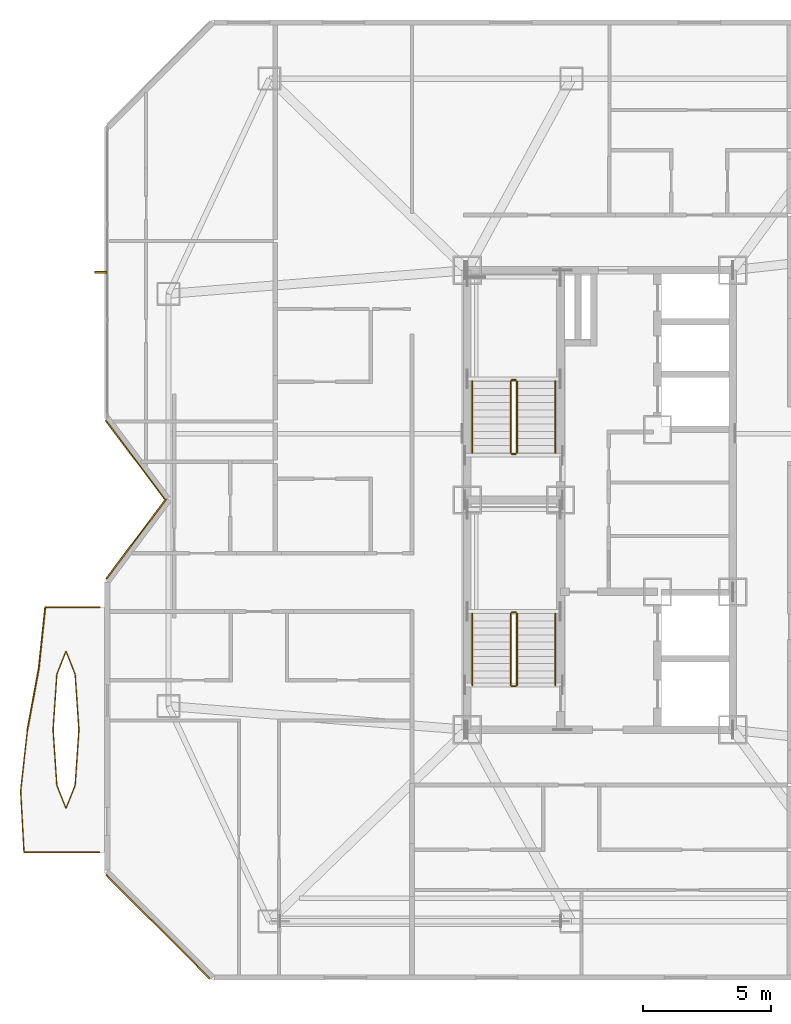
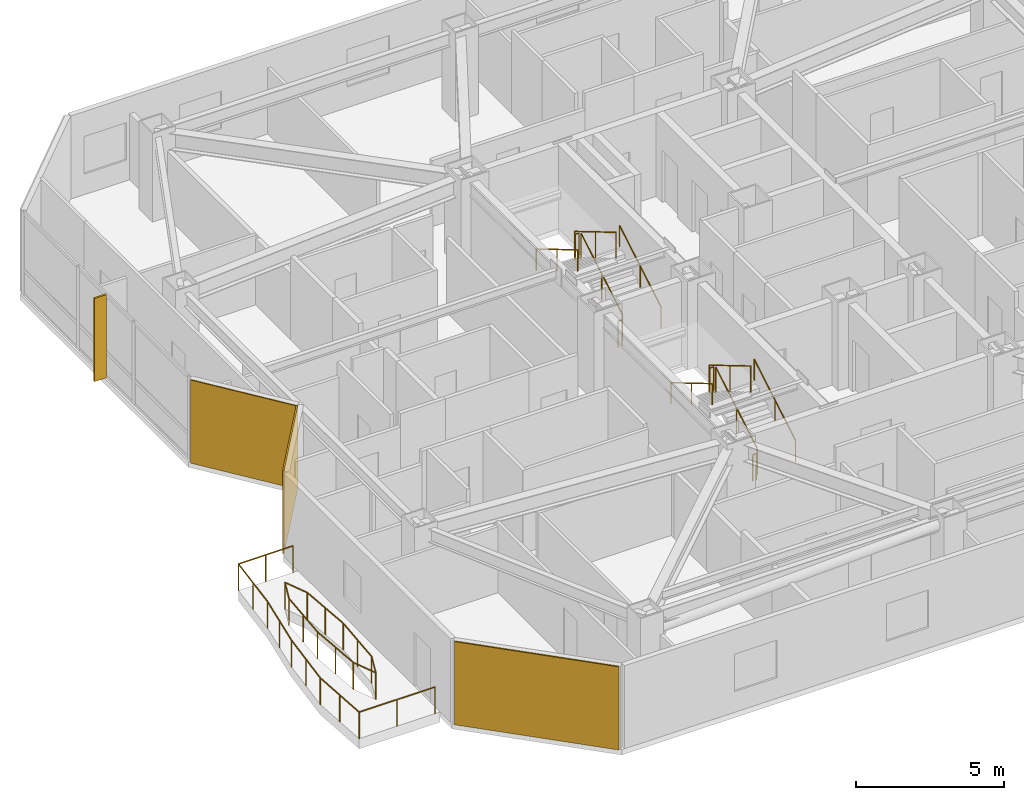
# One storey, part 17 of 18: 16 railings, 3 coverings, 1 shading device.
"""IFC4 building model written with IfcOpenShell, lengths in metres."""

import ifcopenshell
import ifcopenshell.guid

model = None  # the IFC model being written
_history = None  # IfcOwnerHistory: only IFC2X3 demands one
_inside = {}  # id of a spatial element -> (the spatial element, [elements in it])
_under = {}  # id of a project, library or spatial element -> (it, [spatial elements below it])
_declared = {}  # id of a project -> (the project, [libraries it declares])
_typed = {}  # id of a type object -> (the type object, [elements of that type])
_made_of = {}  # id of a material, layer set ... -> (it, [elements and type objects made of it])


def new_model(schema):
    """Start an empty IFC model of exactly this schema.

    Asked for "IFC4X3", IfcOpenShell would pick the latest addendum, in which some entities
    have other attributes; the version numbers below select the first issue.
    IFC2X3 requires an IfcOwnerHistory on every rooted entity: one is made here for all.
    """
    global model, _history
    if schema == "IFC4X3":
        model = ifcopenshell.file(schema_version=(4, 3, 0, 0))
    else:
        model = ifcopenshell.file(schema=schema)
    _inside.clear()
    _under.clear()
    _declared.clear()
    _typed.clear()
    _made_of.clear()
    _history = None
    if model.schema == "IFC2X3":
        org = make("IfcOrganization", Name="unknown")
        user = make(
            "IfcPersonAndOrganization",
            ThePerson=make("IfcPerson", FamilyName="unknown"),
            TheOrganization=org,
        )
        app = make(
            "IfcApplication",
            ApplicationDeveloper=org,
            Version="unknown",
            ApplicationFullName="unknown",
            ApplicationIdentifier="unknown",
        )
        _history = make(
            "IfcOwnerHistory",
            OwningUser=user,
            OwningApplication=app,
            ChangeAction="ADDED",
            CreationDate=0,
        )
    return model


def make(cls, **values):
    """One entity of the class cls with the attributes given. An attribute that is None is left unset."""
    return model.create_entity(
        cls, **{name: value for name, value in values.items() if value is not None}
    )


def rooted(cls, **values):
    """An entity with a GlobalId (a new one), such as an element, a storey or a relation."""
    return make(cls, GlobalId=ifcopenshell.guid.new(), OwnerHistory=_history, **values)


def si_unit(unit_type, name, prefix=None):
    """IfcSIUnit, for example si_unit("LENGTHUNIT", "METRE", prefix="MILLI")."""
    return make("IfcSIUnit", UnitType=unit_type, Prefix=prefix, Name=name)


def assignment(units):
    """IfcUnitAssignment: the units of a project."""
    return None if units is None else make("IfcUnitAssignment", Units=units)


def point(xyz):
    """IfcCartesianPoint."""
    return None if xyz is None else make("IfcCartesianPoint", Coordinates=xyz)


def direction(xyz):
    """IfcDirection."""
    return None if xyz is None else make("IfcDirection", DirectionRatios=xyz)


def frame(location, z_axis=None, x_axis=None):
    """IfcAxis2Placement3D, a coordinate frame: its origin and axes. An axis left out is left unset."""
    return make(
        "IfcAxis2Placement3D",
        Location=point(location),
        Axis=direction(z_axis),
        RefDirection=direction(x_axis),
    )


def frame_2d(location, x_axis=None):
    """IfcAxis2Placement2D, a coordinate frame in the plane: its origin and x axis."""
    return make(
        "IfcAxis2Placement2D", Location=point(location), RefDirection=direction(x_axis)
    )


def origin():
    """The frame at (0, 0, 0) with its axes left unset."""
    return frame((0.0, 0.0, 0.0))


def origin_2d():
    """The frame at (0, 0) in the plane with its x axis left unset."""
    return frame_2d((0.0, 0.0))


def place(relative_to, where):
    """IfcLocalPlacement: puts the frame where relative to a parent placement (None: the world)."""
    return make(
        "IfcLocalPlacement", PlacementRelTo=relative_to, RelativePlacement=where
    )


def context(
    kind, dimensions, precision=None, world=None, true_north=None, identifier=None
):
    """IfcGeometricRepresentationContext, for example the 3D "Model" context."""
    return make(
        "IfcGeometricRepresentationContext",
        ContextIdentifier=identifier,
        ContextType=kind,
        CoordinateSpaceDimension=dimensions,
        Precision=precision,
        WorldCoordinateSystem=world,
        TrueNorth=true_north,
    )


def subcontext(parent, identifier, kind, view, scale=None):
    """IfcGeometricRepresentationSubContext, for example "Body" below "Model"."""
    return make(
        "IfcGeometricRepresentationSubContext",
        ContextIdentifier=identifier,
        ContextType=kind,
        ParentContext=parent,
        TargetScale=scale,
        TargetView=view,
    )


def project(units=None, contexts=None):
    """IfcProject with its units and contexts."""
    return rooted(
        "IfcProject",
        Name="project",
        RepresentationContexts=contexts,
        UnitsInContext=assignment(units),
    )


def spatial(cls, under=None, at=None, **own):
    """A site, building, storey or space (cls), placed at a placement, below another one or the project."""
    s = rooted(cls, ObjectPlacement=at, **own)
    if under is not None:
        _under.setdefault(under.id(), (under, []))[1].append(s)
    return s


def profile(cls, at=None, kind="AREA", **sizes):
    """A parametric profile (cls). Its sizes go by their IFC names, for example OverallWidth=200.0."""
    return make(cls, ProfileType=kind, Position=at, **sizes)


def rectangle(**sizes):
    """IfcRectangleProfileDef."""
    return profile("IfcRectangleProfileDef", **sizes)


def circle(**sizes):
    """IfcCircleProfileDef."""
    return profile("IfcCircleProfileDef", **sizes)


def extrude(swept, where, along, depth):
    """IfcExtrudedAreaSolid: the profile swept, set in the frame where, extruded along a direction by depth."""
    return make(
        "IfcExtrudedAreaSolid",
        SweptArea=swept,
        Position=where,
        ExtrudedDirection=direction(along),
        Depth=depth,
    )


def shape(context_of_items, identifier, shape_type, items):
    """IfcShapeRepresentation: the items that make up one representation, for example the "Body"."""
    return make(
        "IfcShapeRepresentation",
        ContextOfItems=context_of_items,
        RepresentationIdentifier=identifier,
        RepresentationType=shape_type,
        Items=items,
    )


def material(Name=None, Category=None):
    """IfcMaterial."""
    return make("IfcMaterial", Name=Name, Category=Category)


def layer(
    of_material, thickness, ventilated=None, Name=None, Category=None, Priority=None
):
    """IfcMaterialLayer: one layer of a wall or slab, of a material (None: an air gap)."""
    return make(
        "IfcMaterialLayer",
        Material=of_material,
        LayerThickness=thickness,
        IsVentilated=ventilated,
        Name=Name,
        Category=Category,
        Priority=Priority,
    )


def layer_set(layers, Name=None):
    """IfcMaterialLayerSet."""
    return make("IfcMaterialLayerSet", MaterialLayers=layers, LayerSetName=Name)


def made_of(thing, what):
    """Note that an element or type object is made of a material, layer set ...; save() writes the relation."""
    if what is not None:
        _made_of.setdefault(what.id(), (what, []))[1].append(thing)
    return thing


def type_object(cls, material=None, **own):
    """A type object (cls), such as IfcWallType, which elements share."""
    return made_of(rooted(cls, **own), material)


def element(
    cls,
    number,
    at=None,
    inside=None,
    cuts=None,
    type_object=None,
    material=None,
    context=None,
    identifier="Body",
    shape_type=None,
    held_by="IfcProductDefinitionShape",
    body=None,
    shapes=None,
    **own,
):
    """One element of the class cls, such as IfcWall. Its Tag is "e" and its number.

    at: its placement. inside: the storey or other place that contains it. cuts: it is an
    opening in that element (IfcRelVoidsElement). A single representation is given by context,
    identifier, shape_type and body (its items); several are given by shapes. held_by: the class
    of the entity that holds the representations. save() writes the other relations.
    """
    e = rooted(cls, Tag="e%d" % number, ObjectPlacement=at, **own)
    if body is not None:
        shapes = [shape(context, identifier, shape_type, body)]
    if shapes is not None:
        e.Representation = make(held_by, Representations=shapes)
    if inside is not None:
        _inside.setdefault(inside.id(), (inside, []))[1].append(e)
    if cuts is not None:
        rooted(
            "IfcRelVoidsElement", RelatingBuildingElement=cuts, RelatedOpeningElement=e
        )
    if type_object is not None:
        _typed.setdefault(type_object.id(), (type_object, []))[1].append(e)
    return made_of(e, material)


def aggregate(whole, parts):
    """IfcRelAggregates: a whole, such as a stair, and the parts it consists of."""
    return rooted("IfcRelAggregates", RelatingObject=whole, RelatedObjects=parts)


def save(model, path):
    """Write the relations noted so far, then the file.

    IfcRelAggregates (storeys below a building ...), IfcRelContainedInSpatialStructure (elements
    in a storey), IfcRelDefinesByType, IfcRelAssociatesMaterial and IfcRelDeclares: one each for
    every whole, place, type object, material and project.
    """
    for whole, parts in _under.values():
        aggregate(whole, parts)
    for where, things in _inside.values():
        rooted(
            "IfcRelContainedInSpatialStructure",
            RelatedElements=things,
            RelatingStructure=where,
        )
    for kind, things in _typed.values():
        rooted("IfcRelDefinesByType", RelatedObjects=things, RelatingType=kind)
    for what, things in _made_of.values():
        rooted("IfcRelAssociatesMaterial", RelatedObjects=things, RelatingMaterial=what)
    for by, libraries in _declared.values():
        rooted("IfcRelDeclares", RelatingContext=by, RelatedDefinitions=libraries)
    model.write(path)


model = new_model("IFC4")

# Units and contexts
model_context = context("Model", 3, precision=1e-05, world=origin(), true_north=direction((0.0, 1.0)))
body_context = subcontext(model_context, "Body", "Model", "MODEL_VIEW")
ifc_project = project(units=[si_unit("LENGTHUNIT", "METRE"), si_unit("AREAUNIT", "SQUARE_METRE"), si_unit("VOLUMEUNIT", "CUBIC_METRE"), si_unit("PLANEANGLEUNIT", "RADIAN"), si_unit("MASSUNIT", "GRAM", prefix="KILO")], contexts=[model_context])

# Site, building, storey
site_placement = place(None, origin())
site = spatial("IfcSite", under=ifc_project, at=site_placement, CompositionType="ELEMENT")
building_placement = place(site_placement, origin())
building = spatial("IfcBuilding", under=site, at=building_placement, Name="Khamvora Tower", CompositionType="ELEMENT")
storey_placement = place(building_placement, frame((0.0, 0.0, 181.449951171875)))
storey = spatial("IfcBuildingStorey", under=building, at=storey_placement, Name="L46", CompositionType="ELEMENT", Elevation=181.449951171875)

# Coverings
ifc_material_1 = material(Name="Pale Anodised Aluminium Rainscreen Panel", Category="aluminium")
ifc_layer_1 = layer(ifc_material_1, 0.044921875)
ifc_layer_set_1 = layer_set([ifc_layer_1], Name="Pale Anodised Aluminium Rainscreen Panel")
covering_type_1 = type_object("IfcCoveringType", Name="COV-CLD-ALU", PredefinedType="CLADDING", material=ifc_layer_set_1)
covering_1_placement = place(storey_placement, frame((15.991943359375, 29.580078125, 0.0), z_axis=(0.0, 0.0, 1.0), x_axis=(-0.600000000002, 0.799999999998, 0.0)))
element("IfcCovering", 1, at=covering_1_placement, inside=storey, type_object=covering_type_1, Name="L46 chamfer rainscreen cladding 04.1", PredefinedType="CLADDING", context=body_context, shape_type="SweptSolid", body=[
    extrude(rectangle(XDim=3.85498046875, YDim=0.044921875, at=origin_2d()), origin(), (0.0, 0.0, 1.0), 3.429931640625),
])
ifc_material_2 = material(Name="Anodised Bronze Aluminium Spandrel Panel", Category="aluminium")
ifc_layer_2 = layer(ifc_material_2, 0.054931640625)
ifc_layer_set_2 = layer_set([ifc_layer_2], Name="Anodised Bronze Aluminium Spandrel Panel")
covering_type_2 = type_object("IfcCoveringType", Name="COV-CLD-BRZ", PredefinedType="CLADDING", material=ifc_layer_set_2)
covering_2_placement = place(storey_placement, frame((16.886962890625, 11.287109375, 0.0), z_axis=(0.0, 0.0, 1.0), x_axis=(-0.707106781187, 0.707106781187, 0.0)))
element("IfcCovering", 2, at=covering_2_placement, inside=storey, type_object=covering_type_2, Name="L46 chamfer rainscreen cladding 01.1", PredefinedType="CLADDING", context=body_context, shape_type="SweptSolid", body=[
    extrude(rectangle(XDim=5.756103515625, YDim=0.054931640625, at=origin_2d()), origin(), (0.0, 0.0, 1.0), 3.429931640625),
])
covering_3_placement = place(storey_placement, frame((16.032958984375, 26.47412109375, 0.0), z_axis=(0.0, 0.0, 1.0), x_axis=(0.600040085427, 0.799969934361, 0.0)))
element("IfcCovering", 3, at=covering_3_placement, inside=storey, type_object=covering_type_2, Name="L46 chamfer rainscreen cladding 03.1", PredefinedType="CLADDING", context=body_context, shape_type="SweptSolid", body=[
    extrude(rectangle(XDim=3.89111328125, YDim=0.054931640625, at=origin_2d()), origin(), (0.0, 0.0, 1.0), 3.429931640625),
])

# Railings
ifc_material_3 = material(Name="Stainless Steel 316 and Laminated Glass", Category="steel")
railing_type_1 = type_object("IfcRailingType", Name="RAL-GAL-1120", PredefinedType="GUARDRAIL", material=ifc_material_3)
railing_1_placement = place(storey_placement, frame((14.60009765625, 14.199951171875, 0.0)))
element("IfcRailing", 4, at=railing_1_placement, inside=storey, type_object=railing_type_1, Name="L46 lens gallery south perimeter guardrail WL1", PredefinedType="GUARDRAIL", context=body_context, shape_type="SweptSolid", body=[
    extrude(circle(Radius=0.02392578125, at=origin_2d()), frame((0.0, 0.0, 1.09619140625), z_axis=(-1.0, 0.0, 0.0), x_axis=(0.0, -1.0, 0.0)), (0.0, 0.0, 1.0), 2.962158203125),
    extrude(circle(Radius=0.02392578125, at=origin_2d()), frame((-2.962158203125, 0.0, 1.09619140625), z_axis=(-0.054440557328, 0.998517013234, 0.0), x_axis=(-0.998517013234, -0.054440557328, 0.0)), (0.0, 0.0, 1.0), 2.40380859375),
    extrude(circle(Radius=0.02392578125, at=origin_2d()), frame((-3.093017578125, 2.400146484375, 1.09619140625), z_axis=(0.110109691918, 0.993919441276, 0.0), x_axis=(-0.993919441276, 0.110109691918, 0.0)), (0.0, 0.0, 1.0), 2.41455078125),
    extrude(circle(Radius=0.02099609375, at=origin_2d()), origin(), (0.0, 0.0, 1.0), 1.072021484375),
    extrude(circle(Radius=0.02099609375, at=origin_2d()), frame((-1.48095703125, 0.0, 0.0)), (0.0, 0.0, 1.0), 1.072021484375),
    extrude(circle(Radius=0.02099609375, at=origin_2d()), frame((-2.962158203125, 0.0, 0.0)), (0.0, 0.0, 1.0), 1.072021484375),
    extrude(circle(Radius=0.02099609375, at=origin_2d()), frame((-3.027587890625, 1.2001953125, 0.0)), (0.0, 0.0, 1.0), 1.072021484375),
    extrude(circle(Radius=0.02099609375, at=origin_2d()), frame((-3.093017578125, 2.400146484375, 0.0)), (0.0, 0.0, 1.0), 1.072021484375),
    extrude(circle(Radius=0.02099609375, at=origin_2d()), frame((-2.9599609375, 3.60009765625, 0.0)), (0.0, 0.0, 1.0), 1.072021484375),
    extrude(circle(Radius=0.02099609375, at=origin_2d()), frame((-2.8271484375, 4.800048828125, 0.0)), (0.0, 0.0, 1.0), 1.072021484375),
])
railing_2_placement = place(storey_placement, frame((11.77294921875, 19.0, 0.0)))
element("IfcRailing", 5, at=railing_2_placement, inside=storey, type_object=railing_type_1, Name="L46 lens gallery north perimeter guardrail WL1", PredefinedType="GUARDRAIL", context=body_context, shape_type="SweptSolid", body=[
    extrude(circle(Radius=0.02392578125, at=origin_2d()), frame((0.0, 0.0, 1.09619140625), z_axis=(0.181182800435, 0.983449435826, 0.0), x_axis=(-0.983449435826, 0.181182800435, 0.0)), (0.0, 0.0, 1.0), 2.440185546875),
    extrude(circle(Radius=0.02392578125, at=origin_2d()), frame((0.442138671875, 2.39990234375, 1.09619140625), z_axis=(0.105600912396, 0.994408591727, 0.0), x_axis=(-0.994408591727, 0.105600912396, 0.0)), (0.0, 0.0, 1.0), 2.41357421875),
    extrude(circle(Radius=0.02392578125, at=origin_2d()), frame((0.697021484375, 4.800048828125, 1.09619140625), z_axis=(1.0, 0.0, 0.0), x_axis=(0.0, 1.0, 0.0)), (0.0, 0.0, 1.0), 2.130126953125),
    extrude(circle(Radius=0.02099609375, at=origin_2d()), origin(), (0.0, 0.0, 1.0), 1.072021484375),
    extrude(circle(Radius=0.02099609375, at=origin_2d()), frame((0.22119140625, 1.199951171875, 0.0)), (0.0, 0.0, 1.0), 1.072021484375),
    extrude(circle(Radius=0.02099609375, at=origin_2d()), frame((0.442138671875, 2.39990234375, 0.0)), (0.0, 0.0, 1.0), 1.072021484375),
    extrude(circle(Radius=0.02099609375, at=origin_2d()), frame((0.569580078125, 3.60009765625, 0.0)), (0.0, 0.0, 1.0), 1.072021484375),
    extrude(circle(Radius=0.02099609375, at=origin_2d()), frame((0.697021484375, 4.800048828125, 0.0)), (0.0, 0.0, 1.0), 1.072021484375),
    extrude(circle(Radius=0.02099609375, at=origin_2d()), frame((1.76220703125, 4.800048828125, 0.0)), (0.0, 0.0, 1.0), 1.072021484375),
    extrude(circle(Radius=0.02099609375, at=origin_2d()), frame((2.8271484375, 4.800048828125, 0.0)), (0.0, 0.0, 1.0), 1.072021484375),
])
railing_3_placement = place(storey_placement, frame((13.7890625, 19.0, 0.0)))
element("IfcRailing", 6, at=railing_3_placement, inside=storey, type_object=railing_type_1, Name="L46 lens gallery void guardrail WL1A", PredefinedType="GUARDRAIL", context=body_context, shape_type="SweptSolid", body=[
    extrude(circle(Radius=0.02392578125, at=origin_2d()), frame((0.0, 0.0, 1.09619140625), z_axis=(-0.067955394668, 0.997688360329, 0.0), x_axis=(-0.997688360329, -0.067955394668, 0.0)), (0.0, 0.0, 1.0), 2.17724609375),
    extrude(circle(Radius=0.02392578125, at=origin_2d()), frame((-0.14794921875, 2.172119140625, 1.09619140625), z_axis=(-0.368039364147, 0.929810209902, 0.0), x_axis=(-0.929810209902, -0.368039364147, 0.0)), (0.0, 0.0, 1.0), 0.9677734375),
    extrude(circle(Radius=0.02392578125, at=origin_2d()), frame((-0.504150390625, 3.072021484375, 1.09619140625), z_axis=(-0.367821247872, -0.92989651554, 0.0), x_axis=(0.92989651554, -0.367821247872, 0.0)), (0.0, 0.0, 1.0), 0.9677734375),
    extrude(circle(Radius=0.02392578125, at=origin_2d()), frame((-0.860107421875, 2.172119140625, 1.09619140625), z_axis=(-0.067955394668, -0.997688360329, 0.0), x_axis=(0.997688360329, -0.067955394668, 0.0)), (0.0, 0.0, 1.0), 2.17724609375),
    extrude(circle(Radius=0.02099609375, at=origin_2d()), origin(), (0.0, 0.0, 1.0), 1.072021484375),
    extrude(circle(Radius=0.02099609375, at=origin_2d()), frame((-0.073974609375, 1.0859375, 0.0)), (0.0, 0.0, 1.0), 1.072021484375),
    extrude(circle(Radius=0.02099609375, at=origin_2d()), frame((-0.14794921875, 2.172119140625, 0.0)), (0.0, 0.0, 1.0), 1.072021484375),
    extrude(circle(Radius=0.02099609375, at=origin_2d()), frame((-0.504150390625, 3.072021484375, 0.0)), (0.0, 0.0, 1.0), 1.072021484375),
    extrude(circle(Radius=0.02099609375, at=origin_2d()), frame((-0.860107421875, 2.172119140625, 0.0)), (0.0, 0.0, 1.0), 1.072021484375),
    extrude(circle(Radius=0.02099609375, at=origin_2d()), frame((-0.93408203125, 1.0859375, 0.0)), (0.0, 0.0, 1.0), 1.072021484375),
    extrude(circle(Radius=0.02099609375, at=origin_2d()), frame((-1.008056640625, 0.0, 0.0)), (0.0, 0.0, 1.0), 1.072021484375),
])
railing_4_placement = place(storey_placement, frame((12.781005859375, 19.0, 0.0)))
element("IfcRailing", 7, at=railing_4_placement, inside=storey, type_object=railing_type_1, Name="L46 lens gallery void guardrail WL1B", PredefinedType="GUARDRAIL", context=body_context, shape_type="SweptSolid", body=[
    extrude(circle(Radius=0.02392578125, at=origin_2d()), frame((0.0, 0.0, 1.09619140625), z_axis=(0.067955394668, -0.997688360329, 0.0), x_axis=(0.997688360329, 0.067955394668, 0.0)), (0.0, 0.0, 1.0), 2.17724609375),
    extrude(circle(Radius=0.02392578125, at=origin_2d()), frame((0.14794921875, -2.172119140625, 1.09619140625), z_axis=(0.367821247872, -0.92989651554, 0.0), x_axis=(0.92989651554, 0.367821247872, 0.0)), (0.0, 0.0, 1.0), 0.9677734375),
    extrude(circle(Radius=0.02392578125, at=origin_2d()), frame((0.50390625, -3.072021484375, 1.09619140625), z_axis=(0.368039364147, 0.929810209902, 0.0), x_axis=(-0.929810209902, 0.368039364147, 0.0)), (0.0, 0.0, 1.0), 0.9677734375),
    extrude(circle(Radius=0.02392578125, at=origin_2d()), frame((0.860107421875, -2.172119140625, 1.09619140625), z_axis=(0.067955394668, 0.997688360329, 0.0), x_axis=(-0.997688360329, 0.067955394668, 0.0)), (0.0, 0.0, 1.0), 2.17724609375),
    extrude(circle(Radius=0.02099609375, at=origin_2d()), origin(), (0.0, 0.0, 1.0), 1.072021484375),
    extrude(circle(Radius=0.02099609375, at=origin_2d()), frame((0.073974609375, -1.0859375, 0.0)), (0.0, 0.0, 1.0), 1.072021484375),
    extrude(circle(Radius=0.02099609375, at=origin_2d()), frame((0.14794921875, -2.172119140625, 0.0)), (0.0, 0.0, 1.0), 1.072021484375),
    extrude(circle(Radius=0.02099609375, at=origin_2d()), frame((0.50390625, -3.072021484375, 0.0)), (0.0, 0.0, 1.0), 1.072021484375),
    extrude(circle(Radius=0.02099609375, at=origin_2d()), frame((0.860107421875, -2.172119140625, 0.0)), (0.0, 0.0, 1.0), 1.072021484375),
    extrude(circle(Radius=0.02099609375, at=origin_2d()), frame((0.93408203125, -1.0859375, 0.0)), (0.0, 0.0, 1.0), 1.072021484375),
    extrude(circle(Radius=0.02099609375, at=origin_2d()), frame((1.008056640625, 0.0, 0.0)), (0.0, 0.0, 1.0), 1.072021484375),
])
ifc_material_4 = material(Name="Brushed Stainless Steel 316", Category="steel")
railing_type_2 = type_object("IfcRailingType", Name="RAL-HDR-920", PredefinedType="HANDRAIL", material=ifc_material_4)
railing_5_placement = place(storey_placement, frame((32.449951171875, 20.75, 0.166015625)))
element("IfcRailing", 8, at=railing_5_placement, inside=storey, type_object=railing_type_2, Name="L46 ST-01 stair handrail 1", PredefinedType="HANDRAIL", context=body_context, shape_type="SweptSolid", body=[
    extrude(circle(Radius=0.02392578125, at=origin_2d()), frame((0.0, 0.0, 0.8759765625), z_axis=(0.0, 0.860339051648, 0.50972219513), x_axis=(-1.0, 0.0, 0.0)), (0.0, 0.0, 1.0), 3.254638671875),
    extrude(circle(Radius=0.02099609375, at=origin_2d()), origin(), (0.0, 0.0, 1.0), 0.851806640625),
    extrude(circle(Radius=0.02099609375, at=origin_2d()), frame((0.0, 1.39990234375, 0.82958984375)), (0.0, 0.0, 1.0), 0.851806640625),
    extrude(circle(Radius=0.02099609375, at=origin_2d()), frame((0.0, 2.800048828125, 1.658935546875)), (0.0, 0.0, 1.0), 0.851806640625),
])
railing_6_placement = place(storey_placement, frame((29.199951171875, 23.550048828125, 1.990966796875)))
element("IfcRailing", 9, at=railing_6_placement, inside=storey, type_object=railing_type_2, Name="L46 ST-01 stair handrail 2", PredefinedType="HANDRAIL", context=body_context, shape_type="SweptSolid", body=[
    extrude(circle(Radius=0.02392578125, at=origin_2d()), frame((0.0, 0.0, 0.8759765625), z_axis=(0.0, -0.860306154799, 0.50977771628), x_axis=(1.0, 0.0, 0.0)), (0.0, 0.0, 1.0), 3.254638671875),
    extrude(circle(Radius=0.02099609375, at=origin_2d()), origin(), (0.0, 0.0, 1.0), 0.851806640625),
    extrude(circle(Radius=0.02099609375, at=origin_2d()), frame((0.0, -1.39990234375, 0.82958984375)), (0.0, 0.0, 1.0), 0.851806640625),
    extrude(circle(Radius=0.02099609375, at=origin_2d()), frame((0.0, -2.800048828125, 1.6591796875)), (0.0, 0.0, 1.0), 0.851806640625),
])
railing_7_placement = place(storey_placement, frame((32.449951171875, 29.85009765625, 0.166015625)))
element("IfcRailing", 10, at=railing_7_placement, inside=storey, type_object=railing_type_2, Name="L46 ST-02 stair handrail 1", PredefinedType="HANDRAIL", context=body_context, shape_type="SweptSolid", body=[
    extrude(circle(Radius=0.02392578125, at=origin_2d()), frame((0.0, 0.0, 0.8759765625), z_axis=(0.0, 0.860319559791, 0.509755093197), x_axis=(-1.0, 0.0, 0.0)), (0.0, 0.0, 1.0), 3.25439453125),
    extrude(circle(Radius=0.02099609375, at=origin_2d()), origin(), (0.0, 0.0, 1.0), 0.851806640625),
    extrude(circle(Radius=0.02099609375, at=origin_2d()), frame((0.0, 1.39990234375, 0.82958984375)), (0.0, 0.0, 1.0), 0.851806640625),
    extrude(circle(Radius=0.02099609375, at=origin_2d()), frame((0.0, 2.7998046875, 1.658935546875)), (0.0, 0.0, 1.0), 0.851806640625),
])
railing_8_placement = place(storey_placement, frame((29.199951171875, 32.64990234375, 1.990966796875)))
element("IfcRailing", 11, at=railing_8_placement, inside=storey, type_object=railing_type_2, Name="L46 ST-02 stair handrail 2", PredefinedType="HANDRAIL", context=body_context, shape_type="SweptSolid", body=[
    extrude(circle(Radius=0.02392578125, at=origin_2d()), frame((0.0, 0.0, 0.8759765625), z_axis=(0.0, -0.860286659441, 0.509810615413), x_axis=(1.0, 0.0, 0.0)), (0.0, 0.0, 1.0), 3.25439453125),
    extrude(circle(Radius=0.02099609375, at=origin_2d()), origin(), (0.0, 0.0, 1.0), 0.851806640625),
    extrude(circle(Radius=0.02099609375, at=origin_2d()), frame((0.0, -1.39990234375, 0.82958984375)), (0.0, 0.0, 1.0), 0.851806640625),
    extrude(circle(Radius=0.02099609375, at=origin_2d()), frame((0.0, -2.7998046875, 1.6591796875)), (0.0, 0.0, 1.0), 0.851806640625),
])
ifc_material_5 = material(Name="Stainless Steel 316", Category="steel")
railing_type_3 = type_object("IfcRailingType", Name="RAL-STG-1100", PredefinedType="GUARDRAIL", material=ifc_material_5)
railing_9_placement = place(storey_placement, frame((30.949951171875, 20.75, 0.166015625)))
element("IfcRailing", 12, at=railing_9_placement, inside=storey, type_object=railing_type_3, Name="L46 ST-01 stair guard 1", PredefinedType="GUARDRAIL", context=body_context, shape_type="SweptSolid", body=[
    extrude(circle(Radius=0.02392578125, at=origin_2d()), frame((0.0, 0.0, 1.076171875), z_axis=(0.0, 0.860339051648, 0.50972219513), x_axis=(-1.0, 0.0, 0.0)), (0.0, 0.0, 1.0), 3.254638671875),
    extrude(circle(Radius=0.02099609375, at=origin_2d()), origin(), (0.0, 0.0, 1.0), 1.052001953125),
    extrude(circle(Radius=0.02099609375, at=origin_2d()), frame((0.0, 1.39990234375, 0.82958984375)), (0.0, 0.0, 1.0), 1.052001953125),
    extrude(circle(Radius=0.02099609375, at=origin_2d()), frame((0.0, 2.800048828125, 1.658935546875)), (0.0, 0.0, 1.0), 1.052001953125),
])
railing_10_placement = place(storey_placement, frame((30.89990234375, 23.60009765625, 1.824951171875)))
element("IfcRailing", 13, at=railing_10_placement, inside=storey, type_object=railing_type_3, Name="L46 ST-01 stair guard 2", PredefinedType="GUARDRAIL", context=body_context, shape_type="SweptSolid", body=[
    extrude(circle(Radius=0.02392578125, at=origin_2d()), frame((0.0, 0.0, 1.076171875), z_axis=(-1.0, 0.0, 0.0), x_axis=(0.0, -1.0, 0.0)), (0.0, 0.0, 1.0), 0.14990234375),
    extrude(circle(Radius=0.02099609375, at=origin_2d()), origin(), (0.0, 0.0, 1.0), 1.052001953125),
    extrude(circle(Radius=0.02099609375, at=origin_2d()), frame((-0.14990234375, 0.0, 0.0)), (0.0, 0.0, 1.0), 1.052001953125),
])
railing_11_placement = place(storey_placement, frame((30.699951171875, 23.550048828125, 1.990966796875)))
element("IfcRailing", 14, at=railing_11_placement, inside=storey, type_object=railing_type_3, Name="L46 ST-01 stair guard 3", PredefinedType="GUARDRAIL", context=body_context, shape_type="SweptSolid", body=[
    extrude(circle(Radius=0.02392578125, at=origin_2d()), frame((0.0, 0.0, 1.076171875), z_axis=(0.0, -0.860306154799, 0.50977771628), x_axis=(1.0, 0.0, 0.0)), (0.0, 0.0, 1.0), 3.254638671875),
    extrude(circle(Radius=0.02099609375, at=origin_2d()), origin(), (0.0, 0.0, 1.0), 1.052001953125),
    extrude(circle(Radius=0.02099609375, at=origin_2d()), frame((0.0, -1.39990234375, 0.82958984375)), (0.0, 0.0, 1.0), 1.052001953125),
    extrude(circle(Radius=0.02099609375, at=origin_2d()), frame((0.0, -2.800048828125, 1.6591796875)), (0.0, 0.0, 1.0), 1.052001953125),
])
railing_12_placement = place(storey_placement, frame((30.89990234375, 20.699951171875, 0.0)))
element("IfcRailing", 15, at=railing_12_placement, inside=storey, type_object=railing_type_3, Name="L46 ST-01 stair guard 4", PredefinedType="GUARDRAIL", context=body_context, shape_type="SweptSolid", body=[
    extrude(circle(Radius=0.02392578125, at=origin_2d()), frame((0.0, 0.0, 1.076171875), z_axis=(-1.0, 0.0, 0.0), x_axis=(0.0, -1.0, 0.0)), (0.0, 0.0, 1.0), 0.14990234375),
    extrude(circle(Radius=0.02099609375, at=origin_2d()), origin(), (0.0, 0.0, 1.0), 1.052001953125),
    extrude(circle(Radius=0.02099609375, at=origin_2d()), frame((-0.14990234375, 0.0, 0.0)), (0.0, 0.0, 1.0), 1.052001953125),
])
railing_13_placement = place(storey_placement, frame((30.949951171875, 29.85009765625, 0.166015625)))
element("IfcRailing", 16, at=railing_13_placement, inside=storey, type_object=railing_type_3, Name="L46 ST-02 stair guard 1", PredefinedType="GUARDRAIL", context=body_context, shape_type="SweptSolid", body=[
    extrude(circle(Radius=0.02392578125, at=origin_2d()), frame((0.0, 0.0, 1.076171875), z_axis=(0.0, 0.860319559791, 0.509755093197), x_axis=(-1.0, 0.0, 0.0)), (0.0, 0.0, 1.0), 3.25439453125),
    extrude(circle(Radius=0.02099609375, at=origin_2d()), origin(), (0.0, 0.0, 1.0), 1.052001953125),
    extrude(circle(Radius=0.02099609375, at=origin_2d()), frame((0.0, 1.39990234375, 0.82958984375)), (0.0, 0.0, 1.0), 1.052001953125),
    extrude(circle(Radius=0.02099609375, at=origin_2d()), frame((0.0, 2.7998046875, 1.658935546875)), (0.0, 0.0, 1.0), 1.052001953125),
])
railing_14_placement = place(storey_placement, frame((30.89990234375, 32.699951171875, 1.824951171875)))
element("IfcRailing", 17, at=railing_14_placement, inside=storey, type_object=railing_type_3, Name="L46 ST-02 stair guard 2", PredefinedType="GUARDRAIL", context=body_context, shape_type="SweptSolid", body=[
    extrude(circle(Radius=0.02392578125, at=origin_2d()), frame((0.0, 0.0, 1.076171875), z_axis=(-1.0, 0.0, 0.0), x_axis=(0.0, -1.0, 0.0)), (0.0, 0.0, 1.0), 0.14990234375),
    extrude(circle(Radius=0.02099609375, at=origin_2d()), origin(), (0.0, 0.0, 1.0), 1.052001953125),
    extrude(circle(Radius=0.02099609375, at=origin_2d()), frame((-0.14990234375, 0.0, 0.0)), (0.0, 0.0, 1.0), 1.052001953125),
])
railing_15_placement = place(storey_placement, frame((30.699951171875, 32.64990234375, 1.990966796875)))
element("IfcRailing", 18, at=railing_15_placement, inside=storey, type_object=railing_type_3, Name="L46 ST-02 stair guard 3", PredefinedType="GUARDRAIL", context=body_context, shape_type="SweptSolid", body=[
    extrude(circle(Radius=0.02392578125, at=origin_2d()), frame((0.0, 0.0, 1.076171875), z_axis=(0.0, -0.860286659441, 0.509810615413), x_axis=(1.0, 0.0, 0.0)), (0.0, 0.0, 1.0), 3.25439453125),
    extrude(circle(Radius=0.02099609375, at=origin_2d()), origin(), (0.0, 0.0, 1.0), 1.052001953125),
    extrude(circle(Radius=0.02099609375, at=origin_2d()), frame((0.0, -1.39990234375, 0.82958984375)), (0.0, 0.0, 1.0), 1.052001953125),
    extrude(circle(Radius=0.02099609375, at=origin_2d()), frame((0.0, -2.7998046875, 1.6591796875)), (0.0, 0.0, 1.0), 1.052001953125),
])
railing_16_placement = place(storey_placement, frame((30.89990234375, 29.800048828125, 0.0)))
element("IfcRailing", 19, at=railing_16_placement, inside=storey, type_object=railing_type_3, Name="L46 ST-02 stair guard 4", PredefinedType="GUARDRAIL", context=body_context, shape_type="SweptSolid", body=[
    extrude(circle(Radius=0.02392578125, at=origin_2d()), frame((0.0, 0.0, 1.076171875), z_axis=(-1.0, 0.0, 0.0), x_axis=(0.0, -1.0, 0.0)), (0.0, 0.0, 1.0), 0.14990234375),
    extrude(circle(Radius=0.02099609375, at=origin_2d()), origin(), (0.0, 0.0, 1.0), 1.052001953125),
    extrude(circle(Radius=0.02099609375, at=origin_2d()), frame((-0.14990234375, 0.0, 0.0)), (0.0, 0.0, 1.0), 1.052001953125),
])

# Shading device
ifc_material_6 = material(Name="Anodised Bronze Aluminium 6063-T6", Category="aluminium")
shading_device_type = type_object("IfcShadingDeviceType", Name="SHD-FIN-480", PredefinedType="USERDEFINED", material=ifc_material_6)
shading_device_placement = place(storey_placement, frame((14.64306640625, 36.9208984375, 0.0), z_axis=(0.0, 0.0, 1.0), x_axis=(0.0, 1.0, 0.0)))
element("IfcShadingDevice", 20, at=shading_device_placement, inside=storey, type_object=shading_device_type, Name="L46 anodised bronze solar fin 05.01", ObjectType="FIN", PredefinedType="USERDEFINED", context=body_context, shape_type="SweptSolid", body=[
    extrude(rectangle(XDim=0.06494140625, YDim=0.47998046875, at=origin_2d()), origin(), (0.0, 0.0, 1.0), 3.429931640625),
])

save(model, "model.ifc")
